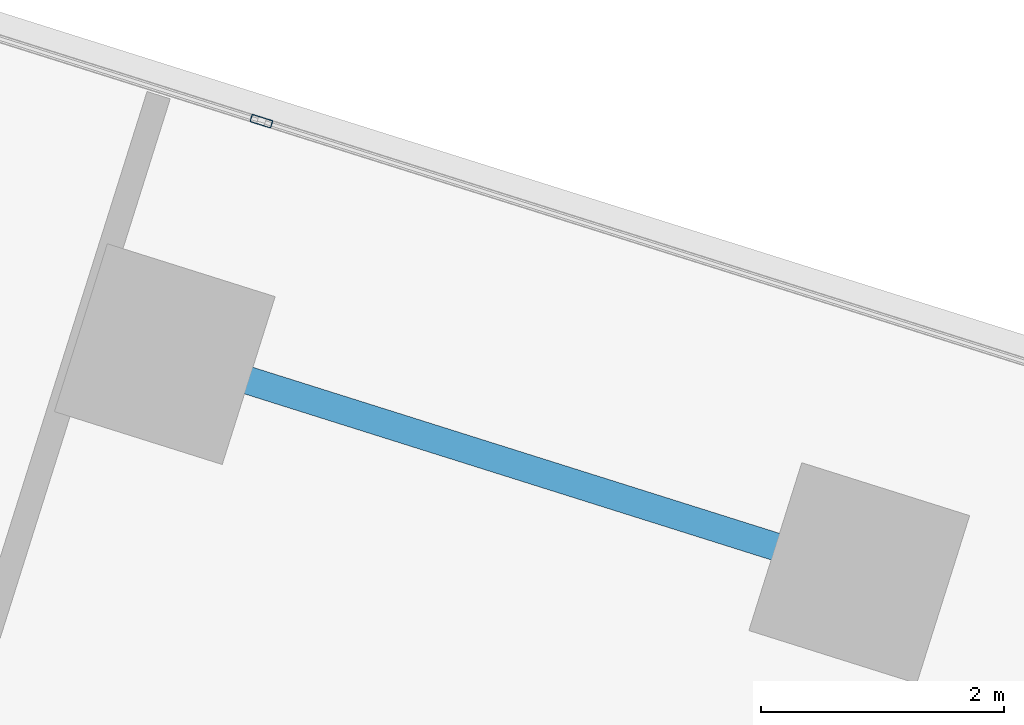
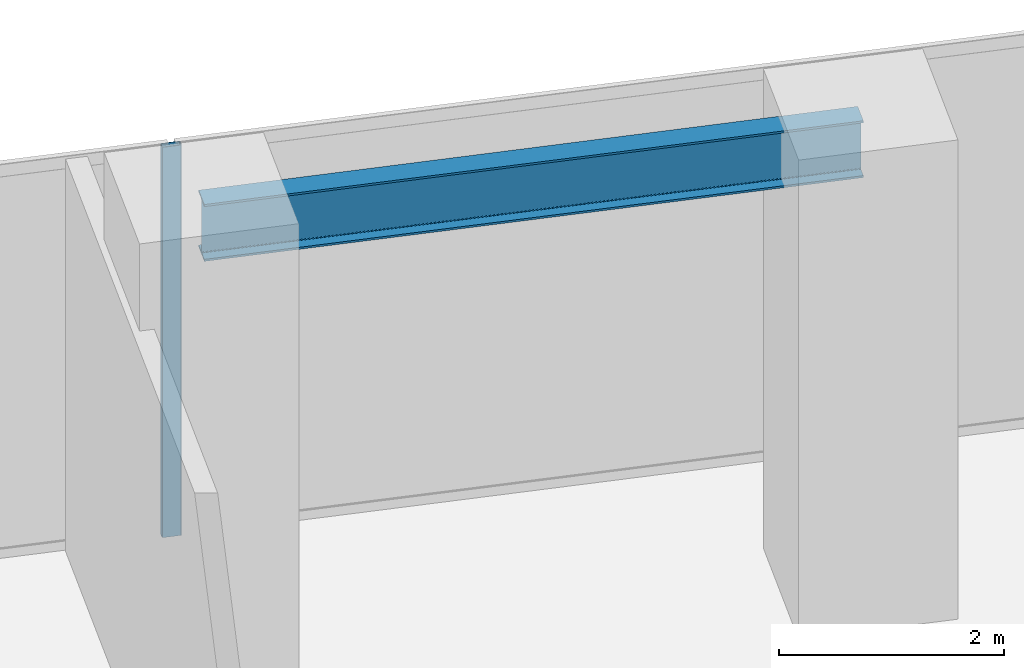
# One storey, part 12 of 29: 1 beam, 1 member, 1 element without a shape of its own.
"""IFC4 building model written with IfcOpenShell, lengths in metres."""

from ifc_helpers import new_model, si_unit, direction, frame, origin, origin_2d, place, context, subcontext, project, spatial, hollow_rectangle, i_section, extrude, source, transform, mapped, material, material_profile, profile_set, type_object, element, aggregate, save


model = new_model("IFC4")

# Units and contexts
model_context = context("Model", 3, precision=1e-05, world=origin(), true_north=direction((0.0, 1.0)))
body_context = subcontext(model_context, "Body", "Model", "MODEL_VIEW")
ifc_project = project(units=[si_unit("LENGTHUNIT", "METRE"), si_unit("AREAUNIT", "SQUARE_METRE"), si_unit("VOLUMEUNIT", "CUBIC_METRE"), si_unit("PLANEANGLEUNIT", "RADIAN"), si_unit("MASSUNIT", "GRAM", prefix="KILO")], contexts=[model_context])

# Site, building, storey
site_placement = place(None, origin())
site = spatial("IfcSite", under=ifc_project, at=site_placement, CompositionType="ELEMENT")
building_placement = place(site_placement, origin())
building = spatial("IfcBuilding", under=site, at=building_placement, Name="Torre Montelarca", CompositionType="ELEMENT")
storey_placement = place(building_placement, frame((0.0, 0.0, 122.199951171875)))
storey = spatial("IfcBuildingStorey", under=building, at=storey_placement, Name="L27", CompositionType="ELEMENT", Elevation=122.199951171875)

# Beam
ifc_material_1 = material(Name="Steel ASTM A992 Grade 50", Category="steel")
ifc_material_profile_1 = material_profile(ifc_material_1, i_section(OverallWidth=0.22998046875, OverallDepth=0.616943359375, WebThickness=0.01318359375, FlangeThickness=0.022216796875, FilletRadius=0.014892578125, at=origin_2d()), Name="W610X140", Category="steel")
ifc_profile_set_1 = profile_set([ifc_material_profile_1], Name="Steel ASTM A992 Grade 50")
beam_type = type_object("IfcBeamType", Name="BM-G-W610-EXT", PredefinedType="BEAM", material=ifc_profile_set_1)
shared_shape_1 = source(origin(), body_context, "Body", "SweptSolid", [
    extrude(i_section(OverallWidth=0.22998046875, OverallDepth=0.616943359375, WebThickness=0.01318359375, FlangeThickness=0.022216796875, FilletRadius=0.014892578125, at=origin_2d()), origin(), (0.0, 0.0, 1.0), 6.0),
])
beam_placement = place(storey_placement, frame((50.9833984375, 37.38330078125, 4.7919921875), z_axis=(0.953720315082, -0.300695128993, 0.0), x_axis=(0.300695128993, 0.953720315082, 0.0)))
element("IfcBeam", 1, at=beam_placement, inside=storey, type_object=beam_type, Name="L27 Setback Terrace Girder 48-54 Y=46m", PredefinedType="BEAM", context=body_context, shape_type="MappedRepresentation", body=[
    mapped(shared_shape_1, transform((0.0, 0.0, 0.0), scale=1.0)),
])

# Curtain wall, member
ifc_material_2 = material(Name="Insulated low-E laminated glass", Category="glass")
curtain_wall_type = type_object("IfcCurtainWallType", Name="CW-SYS-Z1", PredefinedType="USERDEFINED", material=ifc_material_2)
curtain_wall_placement = place(storey_placement, origin())
curtain_wall = element("IfcCurtainWall", 2, at=curtain_wall_placement, inside=storey, type_object=curtain_wall_type, Name="L27 Curtain Wall Run CW-T3-L27-E08-B1", ObjectType="UNITISED GLAZING", PredefinedType="USERDEFINED")
ifc_material_3 = material(Name="Anodised aluminium AA 6063-T6", Category="aluminium")
ifc_material_profile_2 = material_profile(ifc_material_3, hollow_rectangle(XDim=0.06494140625, YDim=0.179931640625, WallThickness=0.00390625, InnerFilletRadius=0.00390625, OuterFilletRadius=0.008056640625, at=origin_2d()), Name="ALU65X180X4", Category="aluminium")
ifc_profile_set_2 = profile_set([ifc_material_profile_2], Name="Anodised aluminium AA 6063-T6")
member_type = type_object("IfcMemberType", Name="CWM-ALU180", PredefinedType="MULLION", material=ifc_profile_set_2)
shared_shape_2 = source(origin(), body_context, "Body", "SweptSolid", [
    extrude(hollow_rectangle(XDim=0.06494140625, YDim=0.179931640625, WallThickness=0.00390625, InnerFilletRadius=0.00390625, OuterFilletRadius=0.008056640625, at=origin_2d()), origin(), (0.0, 0.0, 1.0), 4.235107421875),
])
member_placement = place(storey_placement, frame((51.779541015625, 39.302734375, 0.0), z_axis=(0.0, 0.0, 1.0), x_axis=(-0.300702638073, -0.953717947538, 0.0)))
member = element("IfcMember", 3, at=member_placement, type_object=member_type, Name="CW mullion 2", PredefinedType="MULLION", context=body_context, shape_type="MappedRepresentation", body=[
    mapped(shared_shape_2, transform((0.0, 0.0, 0.0), scale=1.0)),
])
aggregate(curtain_wall, [member])

save(model, "model.ifc")
